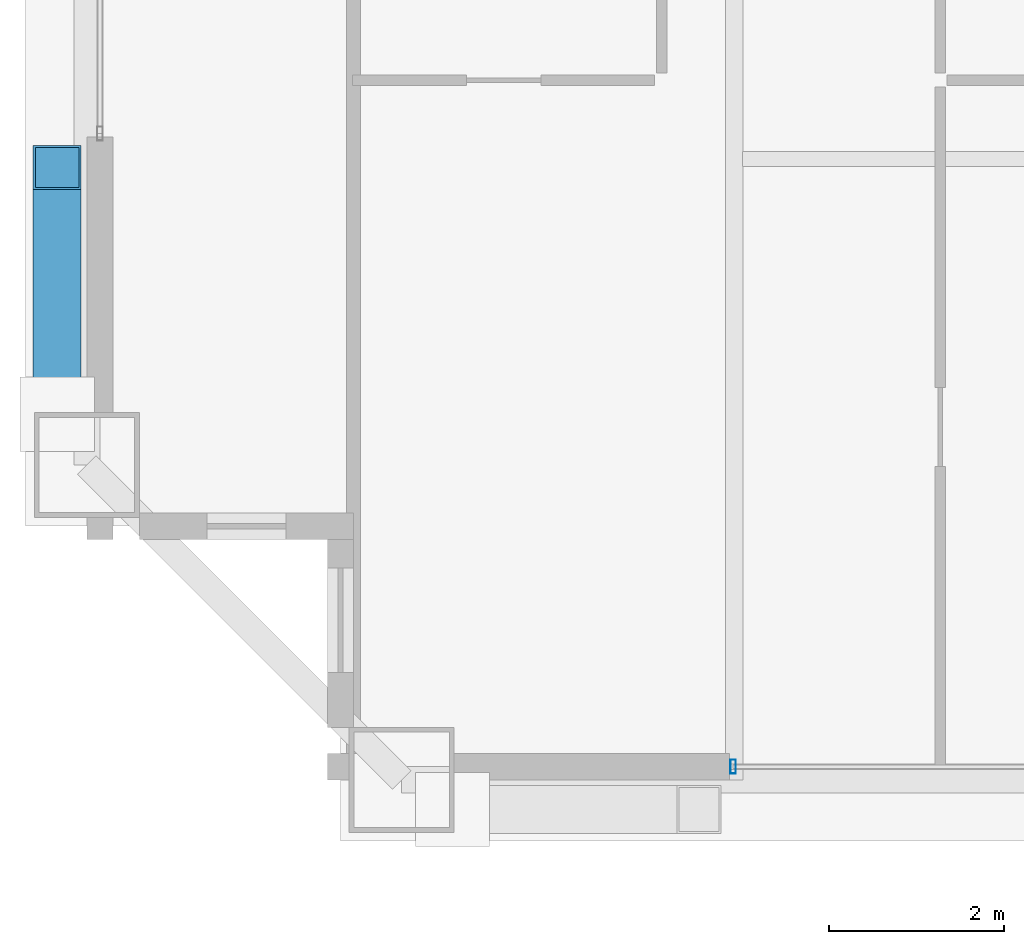
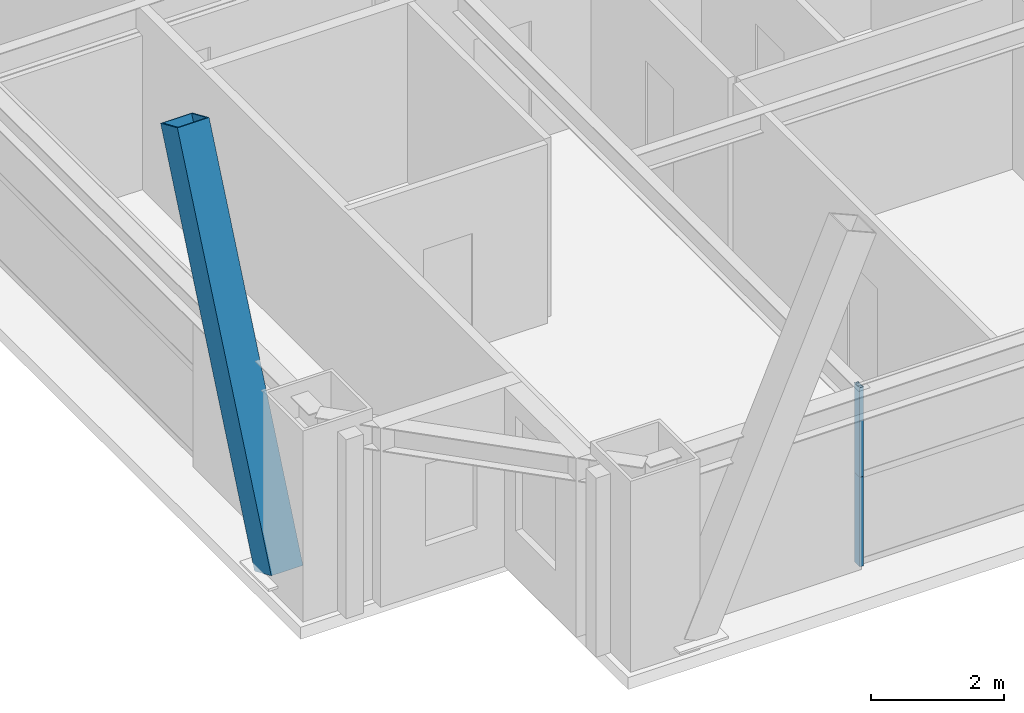
# One storey, part 3 of 35: 3 members, 1 element without a shape of its own.
"""IFC4 building model written with IfcOpenShell, lengths in metres."""

from ifc_helpers import new_model, si_unit, direction, frame, origin, origin_2d, place, context, subcontext, project, spatial, hollow_rectangle, extrude, source, transform, mapped, material, layer, layer_set, material_profile, profile_set, type_object, element, aggregate, save


model = new_model("IFC4")

# Units and contexts
model_context = context("Model", 3, precision=1e-05, world=origin(), true_north=direction((0.0, 1.0)))
body_context = subcontext(model_context, "Body", "Model", "MODEL_VIEW")
ifc_project = project(units=[si_unit("LENGTHUNIT", "METRE"), si_unit("AREAUNIT", "SQUARE_METRE"), si_unit("VOLUMEUNIT", "CUBIC_METRE"), si_unit("PLANEANGLEUNIT", "RADIAN"), si_unit("MASSUNIT", "GRAM", prefix="KILO"), si_unit("THERMODYNAMICTEMPERATUREUNIT", "KELVIN"), si_unit("POWERUNIT", "WATT")], contexts=[model_context])

# Site, building, storey
site_placement = place(None, origin())
site = spatial("IfcSite", under=ifc_project, at=site_placement, CompositionType="ELEMENT")
building_placement = place(site_placement, origin())
building = spatial("IfcBuilding", under=site, at=building_placement, Name="Yuzanri Waterfront Tower", CompositionType="ELEMENT")
storey_placement = place(building_placement, frame((0.0, 0.0, 248.60009765625)))
storey = spatial("IfcBuildingStorey", under=building, at=storey_placement, Name="L66", CompositionType="ELEMENT", Elevation=248.60009765625)

# Member
ifc_material_1 = material(Name="Steel Q390GJC", Category="steel")
ifc_material_profile_1 = material_profile(ifc_material_1, hollow_rectangle(XDim=0.550048828125, YDim=0.550048828125, WallThickness=0.02490234375, at=origin_2d()), Name="RHS 550x550x25")
ifc_profile_set_1 = profile_set([ifc_material_profile_1], Name="Steel Q390GJC")
member_type_1 = type_object("IfcMemberType", Name="Mega Brace Mid Q390GJC RHS 550x550x25", PredefinedType="BRACE", material=ifc_profile_set_1)
shared_shape_1 = source(origin(), body_context, "Body", "SweptSolid", [
    extrude(hollow_rectangle(XDim=0.550048828125, YDim=0.550048828125, WallThickness=0.02490234375, at=origin_2d()), origin(), (0.0, 0.0, 1.0), 7.08544921875),
])
member_1_placement = place(storey_placement, frame((16.06005859375, 9.3798828125, 0.179931640625), z_axis=(0.0, 0.398011598745, 0.917380383082), x_axis=(-1.0, 0.0, 0.0)))
element("IfcMember", 1, at=member_1_placement, inside=storey, type_object=member_type_1, Name="L66-L67 Perimeter Mega-Brace W-L", PredefinedType="BRACE", context=body_context, shape_type="MappedRepresentation", body=[
    mapped(shared_shape_1, transform((0.0, 0.0, 0.0), scale=1.0)),
])

# Curtain wall, members
ifc_material_2 = material(Name="Anodized Architectural Bronze", Category="metal")
ifc_layer = layer(ifc_material_2, 0.159912109375)
ifc_layer_set = layer_set([ifc_layer], Name="Anodized Architectural Bronze")
curtain_wall_type = type_object("IfcCurtainWallType", Name="Anodized Bronze Mid-Rise Residential Acoustic Unitized Curtain Wall 7200", PredefinedType="NOTDEFINED", material=ifc_layer_set)
curtain_wall_placement = place(storey_placement, origin())
curtain_wall = element("IfcCurtainWall", 2, at=curtain_wall_placement, inside=storey, type_object=curtain_wall_type, Name="L66 Curtain Wall CW-L66-SL1", PredefinedType="NOTDEFINED")
ifc_material_3 = material(Name="Anodized Architectural Bronze", Category="metal")
ifc_material_profile_2 = material_profile(ifc_material_3, hollow_rectangle(XDim=0.06494140625, YDim=0.159912109375, WallThickness=0.00341796875, at=origin_2d()), Name="CWM 65x160")
ifc_profile_set_2 = profile_set([ifc_material_profile_2], Name="Anodized Architectural Bronze")
member_type_2 = type_object("IfcMemberType", Name="Anodized Bronze Upper-Zone Curtain-Wall Mullion 65x160", PredefinedType="MULLION", material=ifc_profile_set_2)
shared_shape_2 = source(origin(), body_context, "Body", "SweptSolid", [
    extrude(hollow_rectangle(XDim=0.06494140625, YDim=0.159912109375, WallThickness=0.00341796875, at=origin_2d()), origin(), (0.0, 0.0, 1.0), 1.637939453125),
])
member_2_placement = place(storey_placement, frame((23.7900390625, 5.35009765625, 0.0), z_axis=(0.0, 0.0, 1.0), x_axis=(1.0, 0.0, 0.0)))
member_2 = element("IfcMember", 3, at=member_2_placement, type_object=member_type_2, Name="CW-L66-SL1 Lower Mullion 00", PredefinedType="MULLION", context=body_context, shape_type="MappedRepresentation", body=[
    mapped(shared_shape_2, transform((0.0, 0.0, 0.0), scale=1.0)),
])
member_3_placement = place(storey_placement, frame((23.7900390625, 5.35009765625, 1.641845703125), z_axis=(0.0, 0.0, 1.0), x_axis=(1.0, 0.0, 0.0)))
member_3 = element("IfcMember", 4, at=member_3_placement, type_object=member_type_2, Name="CW-L66-SL1 Upper Mullion 00", PredefinedType="MULLION", context=body_context, shape_type="MappedRepresentation", body=[
    mapped(shared_shape_2, transform((0.0, 0.0, 0.0), scale=1.0)),
])
aggregate(curtain_wall, [member_2, member_3])

save(model, "model.ifc")
